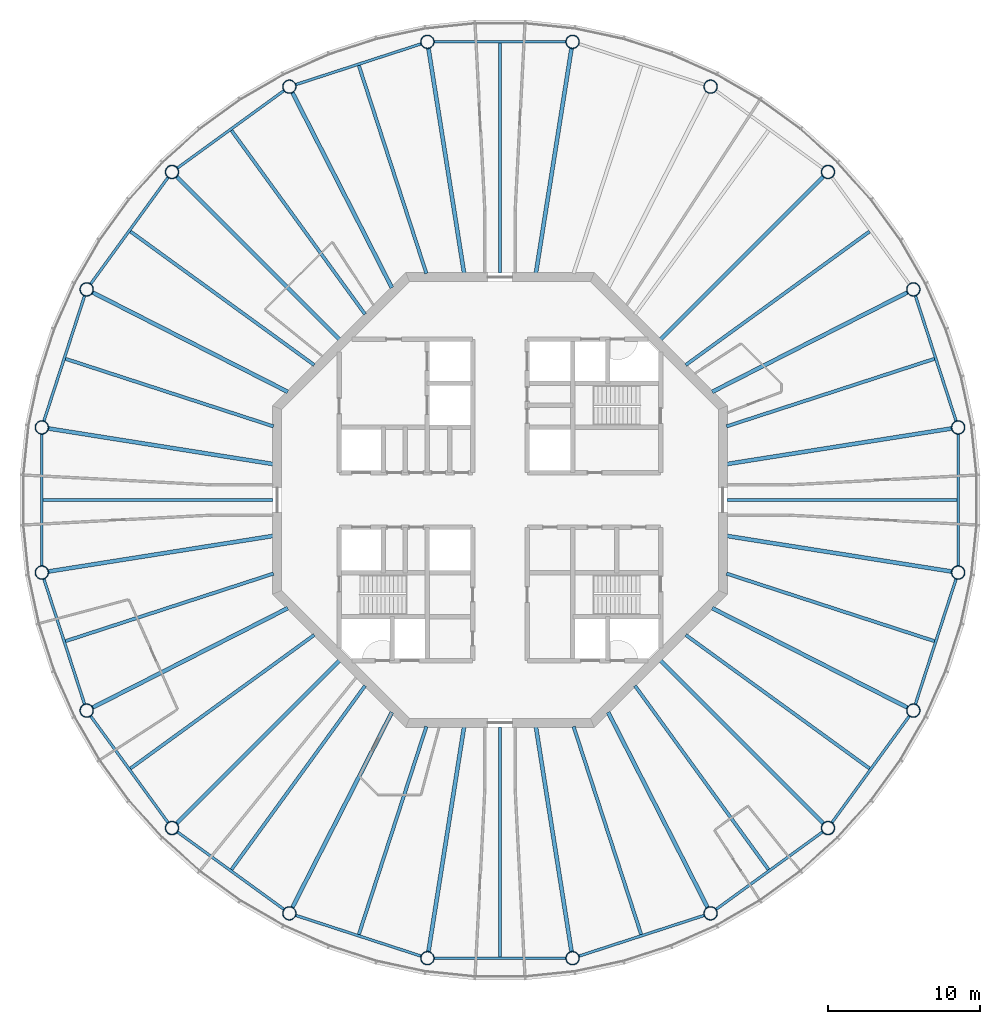
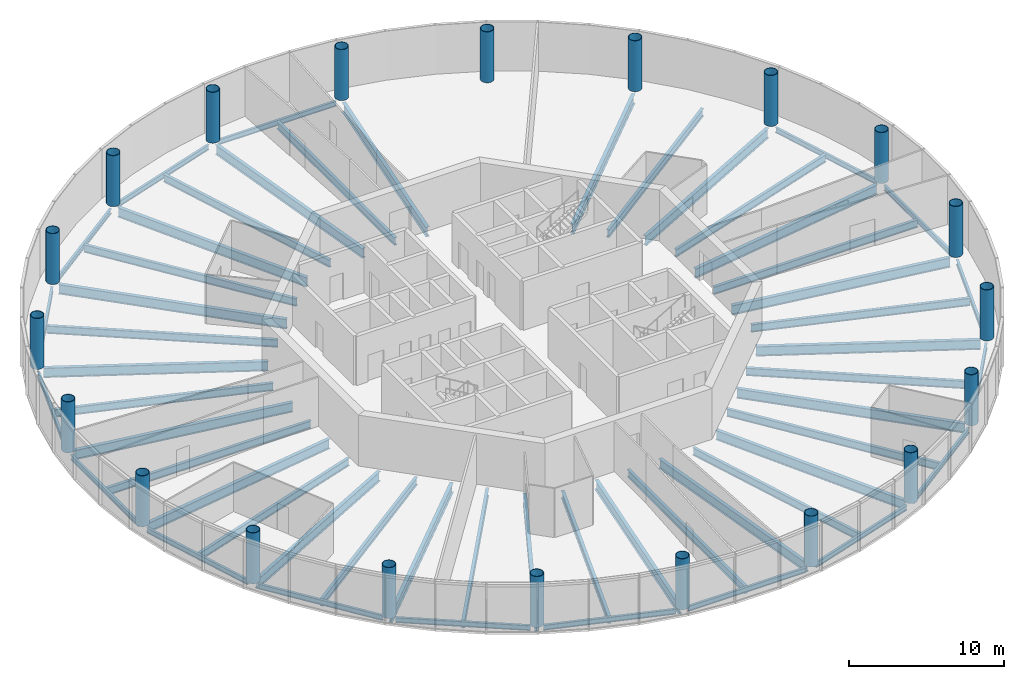
# One storey, part 1 of 13: 54 beams, 20 columns.
"""IFC4 building model written with IfcOpenShell, lengths in metres."""

from ifc_helpers import new_model, si_unit, direction, frame, origin, origin_2d, place, context, subcontext, project, spatial, circle, hollow_circle, i_section, extrude, material, material_profile, profile_set, type_object, element, save


model = new_model("IFC4")

# Units and contexts
model_context = context("Model", 3, precision=1e-05, world=origin(), true_north=direction((0.0, 1.0)))
body_context = subcontext(model_context, "Body", "Model", "MODEL_VIEW")
ifc_project = project(units=[si_unit("LENGTHUNIT", "METRE"), si_unit("AREAUNIT", "SQUARE_METRE"), si_unit("VOLUMEUNIT", "CUBIC_METRE"), si_unit("PLANEANGLEUNIT", "RADIAN"), si_unit("MASSUNIT", "GRAM", prefix="KILO")], contexts=[model_context])

# Site, building, storey
site_placement = place(None, origin())
site = spatial("IfcSite", under=ifc_project, at=site_placement, CompositionType="ELEMENT")
building_placement = place(site_placement, origin())
building = spatial("IfcBuilding", under=site, at=building_placement, Name="Entoto Ring Tower", CompositionType="ELEMENT")
storey_placement = place(building_placement, frame((0.0, 0.0, 380.0)))
storey = spatial("IfcBuildingStorey", under=building, at=storey_placement, Name="L88", CompositionType="ELEMENT", Elevation=380.0)

# Columns
ifc_material_1 = material(Name="Steel S355", Category="steel")
ifc_material_profile_1 = material_profile(ifc_material_1, hollow_circle(Radius=0.449951171875, WallThickness=0.0400390625, at=origin_2d()), Name="CHS 900 x 40")
ifc_material_2 = material(Name="Concrete C60/75", Category="concrete")
ifc_material_profile_2 = material_profile(ifc_material_2, circle(Radius=0.409912109375, at=origin_2d()), Name="Concrete C60/75 infill")
ifc_profile_set_1 = profile_set([ifc_material_profile_1, ifc_material_profile_2], Name="Steel S355")
column_type = type_object("IfcColumnType", Name="Ring column 900 x 40 concrete-filled tube", PredefinedType="COLUMN", material=ifc_profile_set_1)
for number, where, z_axis, x_axis, name in (
    (1, (120.22314453125, 84.786865234375, 0.0), (0.0, 0.0, 1.0), (1.0, 0.0, 0.0), "RC6 R01"),
    (2, (117.264892578125, 93.89208984375, 0.0), (0.0, 0.0, 1.0), (1.0, 0.0, 0.0), "RC6 R02"),
    (3, (111.637451171875, 101.637451171875, 0.0), (0.0, 0.0, 1.0), (1.0, 0.0, 0.0), "RC6 R03"),
    (4, (103.89208984375, 107.264892578125, 0.0), (0.0, 0.0, 1.0), (1.0, 0.0, 0.0), "RC6 R04"),
    (5, (94.786865234375, 110.22314453125, 0.0), (0.0, 0.0, 1.0), (1.0, 0.0, 0.0), "RC6 R05"),
    (6, (85.213134765625, 110.22314453125, 0.0), (0.0, 0.0, 1.0), (1.0, 0.0, 0.0), "RC6 R06"),
    (7, (76.10791015625, 107.264892578125, 0.0), (0.0, 0.0, 1.0), (1.0, 0.0, 0.0), "RC6 R07"),
    (8, (68.362548828125, 101.637451171875, 0.0), (0.0, 0.0, 1.0), (1.0, 0.0, 0.0), "RC6 R08"),
    (9, (62.735107421875, 93.89208984375, 0.0), (0.0, 0.0, 1.0), (1.0, 0.0, 0.0), "RC6 R09"),
    (10, (59.77685546875, 84.786865234375, 0.0), (0.0, 0.0, 1.0), (1.0, 0.0, 0.0), "RC6 R10"),
    (11, (59.77685546875, 75.213134765625, 0.0), (0.0, 0.0, 1.0), (1.0, 0.0, 0.0), "RC6 R11"),
    (12, (62.735107421875, 66.10791015625, 0.0), (0.0, 0.0, 1.0), (1.0, 0.0, 0.0), "RC6 R12"),
    (13, (68.362548828125, 58.362548828125, 0.0), (0.0, 0.0, 1.0), (1.0, 0.0, 0.0), "RC6 R13"),
    (14, (76.10791015625, 52.735107421875, 0.0), (0.0, 0.0, 1.0), (1.0, 0.0, 0.0), "RC6 R14"),
    (15, (85.213134765625, 49.77685546875, 0.0), (0.0, 0.0, 1.0), (1.0, 0.0, 0.0), "RC6 R15"),
    (16, (94.786865234375, 49.77685546875, 0.0), (0.0, 0.0, 1.0), (1.0, 0.0, 0.0), "RC6 R16"),
    (17, (103.89208984375, 52.735107421875, 0.0), (0.0, 0.0, 1.0), (1.0, 0.0, 0.0), "RC6 R17"),
    (18, (111.637451171875, 58.362548828125, 0.0), (0.0, 0.0, 1.0), (1.0, 0.0, 0.0), "RC6 R18"),
    (19, (117.264892578125, 66.10791015625, 0.0), (0.0, 0.0, 1.0), (1.0, 0.0, 0.0), "RC6 R19"),
    (20, (120.22314453125, 75.213134765625, 0.0), (0.0, 0.0, 1.0), (1.0, 0.0, 0.0), "RC6 R20"),
):
    element("IfcColumn", number, at=place(storey_placement, frame(where, z_axis=z_axis, x_axis=x_axis)), inside=storey, type_object=column_type, Name=name, PredefinedType="COLUMN", context=body_context, shape_type="SweptSolid", body=[
        extrude(hollow_circle(Radius=0.449951171875, WallThickness=0.0400390625, at=origin_2d()), origin(), (0.0, 0.0, 1.0), 4.0),
    ])

# Beams
ifc_material_3 = material(Name="Steel S355", Category="steel")
ifc_material_profile_3 = material_profile(ifc_material_3, i_section(OverallWidth=0.179931640625, OverallDepth=0.39990234375, WebThickness=0.008544921875, FlangeThickness=0.013427734375, FilletRadius=0.02099609375, at=origin_2d()), Name="IPE 400")
ifc_profile_set_2 = profile_set([ifc_material_profile_3], Name="Steel S355")
beam_type_1 = type_object("IfcBeamType", Name="Edge beam IPE 400", PredefinedType="SPANDREL", material=ifc_profile_set_2)
beam_1_placement = place(storey_placement, frame((120.09326171875, 85.187255859375, -0.35009765625), z_axis=(-0.309030438368, 0.951052147972, 0.0), x_axis=(-0.951052147972, -0.309030438368, 0.0)))
element("IfcBeam", 21, at=beam_1_placement, inside=storey, type_object=beam_type_1, Name="Edge beam L88 01", PredefinedType="SPANDREL", context=body_context, shape_type="SweptSolid", body=[
    extrude(i_section(OverallWidth=0.179931640625, OverallDepth=0.39990234375, WebThickness=0.008544921875, FlangeThickness=0.013427734375, FilletRadius=0.02099609375, at=origin_2d()), origin(), (0.0, 0.0, 1.0), 8.732177734375),
])
beam_2_placement = place(storey_placement, frame((94.365966796875, 110.22314453125, -0.35009765625), z_axis=(-1.0, 0.0, 0.0), x_axis=(0.0, -1.0, 0.0)))
element("IfcBeam", 22, at=beam_2_placement, inside=storey, type_object=beam_type_1, Name="Edge beam L88 05", PredefinedType="SPANDREL", context=body_context, shape_type="SweptSolid", body=[
    extrude(i_section(OverallWidth=0.179931640625, OverallDepth=0.39990234375, WebThickness=0.008544921875, FlangeThickness=0.013427734375, FilletRadius=0.02099609375, at=origin_2d()), origin(), (0.0, 0.0, 1.0), 8.73193359375),
])
beam_3_placement = place(storey_placement, frame((84.812744140625, 110.09326171875, -0.35009765625), z_axis=(-0.951052147972, -0.309030438368, 0.0), x_axis=(0.309030438368, -0.951052147972, 0.0)))
element("IfcBeam", 23, at=beam_3_placement, inside=storey, type_object=beam_type_1, Name="Edge beam L88 06", PredefinedType="SPANDREL", context=body_context, shape_type="SweptSolid", body=[
    extrude(i_section(OverallWidth=0.179931640625, OverallDepth=0.39990234375, WebThickness=0.008544921875, FlangeThickness=0.013427734375, FilletRadius=0.02099609375, at=origin_2d()), origin(), (0.0, 0.0, 1.0), 8.732177734375),
])
for number, where, z_axis, x_axis, name in (
    (24, (75.767333984375, 107.017333984375, -0.35009765625), (-0.80901045354, -0.587794254874, 0.0), (0.587794254874, -0.80901045354, 0.0), "Edge beam L88 07"),
    (25, (68.115234375, 101.296875, -0.35009765625), (-0.587794254874, -0.80901045354, 0.0), (0.80901045354, -0.587794254874, 0.0), "Edge beam L88 08"),
):
    element("IfcBeam", number, at=place(storey_placement, frame(where, z_axis=z_axis, x_axis=x_axis)), inside=storey, type_object=beam_type_1, Name=name, PredefinedType="SPANDREL", context=body_context, shape_type="SweptSolid", body=[
        extrude(i_section(OverallWidth=0.179931640625, OverallDepth=0.39990234375, WebThickness=0.008544921875, FlangeThickness=0.013427734375, FilletRadius=0.02099609375, at=origin_2d()), origin(), (0.0, 0.0, 1.0), 8.73193359375),
    ])
beam_4_placement = place(storey_placement, frame((62.605224609375, 93.491943359375, -0.35009765625), z_axis=(-0.309030438368, -0.951052147972, 0.0), x_axis=(0.951052147972, -0.309030438368, 0.0)))
element("IfcBeam", 26, at=beam_4_placement, inside=storey, type_object=beam_type_1, Name="Edge beam L88 09", PredefinedType="SPANDREL", context=body_context, shape_type="SweptSolid", body=[
    extrude(i_section(OverallWidth=0.179931640625, OverallDepth=0.39990234375, WebThickness=0.008544921875, FlangeThickness=0.013427734375, FilletRadius=0.02099609375, at=origin_2d()), origin(), (0.0, 0.0, 1.0), 8.732177734375),
])
beam_5_placement = place(storey_placement, frame((59.77685546875, 84.365966796875, -0.35009765625), z_axis=(0.0, -1.0, 0.0), x_axis=(1.0, 0.0, 0.0)))
element("IfcBeam", 27, at=beam_5_placement, inside=storey, type_object=beam_type_1, Name="Edge beam L88 10", PredefinedType="SPANDREL", context=body_context, shape_type="SweptSolid", body=[
    extrude(i_section(OverallWidth=0.179931640625, OverallDepth=0.39990234375, WebThickness=0.008544921875, FlangeThickness=0.013427734375, FilletRadius=0.02099609375, at=origin_2d()), origin(), (0.0, 0.0, 1.0), 8.73193359375),
])
beam_6_placement = place(storey_placement, frame((59.90673828125, 74.812744140625, -0.35009765625), z_axis=(0.309030438368, -0.951052147972, 0.0), x_axis=(0.951052147972, 0.309030438368, 0.0)))
element("IfcBeam", 28, at=beam_6_placement, inside=storey, type_object=beam_type_1, Name="Edge beam L88 11", PredefinedType="SPANDREL", context=body_context, shape_type="SweptSolid", body=[
    extrude(i_section(OverallWidth=0.179931640625, OverallDepth=0.39990234375, WebThickness=0.008544921875, FlangeThickness=0.013427734375, FilletRadius=0.02099609375, at=origin_2d()), origin(), (0.0, 0.0, 1.0), 8.732177734375),
])
for number, where, z_axis, x_axis, name in (
    (29, (62.982666015625, 65.767333984375, -0.35009765625), (0.587794254874, -0.80901045354, 0.0), (0.80901045354, 0.587794254874, 0.0), "Edge beam L88 12"),
    (30, (68.703125, 58.115234375, -0.35009765625), (0.80901045354, -0.587794254874, 0.0), (0.587794254874, 0.80901045354, 0.0), "Edge beam L88 13"),
):
    element("IfcBeam", number, at=place(storey_placement, frame(where, z_axis=z_axis, x_axis=x_axis)), inside=storey, type_object=beam_type_1, Name=name, PredefinedType="SPANDREL", context=body_context, shape_type="SweptSolid", body=[
        extrude(i_section(OverallWidth=0.179931640625, OverallDepth=0.39990234375, WebThickness=0.008544921875, FlangeThickness=0.013427734375, FilletRadius=0.02099609375, at=origin_2d()), origin(), (0.0, 0.0, 1.0), 8.73193359375),
    ])
beam_7_placement = place(storey_placement, frame((76.508056640625, 52.605224609375, -0.35009765625), z_axis=(0.951052147972, -0.309030438368, 0.0), x_axis=(0.309030438368, 0.951052147972, 0.0)))
element("IfcBeam", 31, at=beam_7_placement, inside=storey, type_object=beam_type_1, Name="Edge beam L88 14", PredefinedType="SPANDREL", context=body_context, shape_type="SweptSolid", body=[
    extrude(i_section(OverallWidth=0.179931640625, OverallDepth=0.39990234375, WebThickness=0.008544921875, FlangeThickness=0.013427734375, FilletRadius=0.02099609375, at=origin_2d()), origin(), (0.0, 0.0, 1.0), 8.732177734375),
])
beam_8_placement = place(storey_placement, frame((85.634033203125, 49.77685546875, -0.35009765625), z_axis=(1.0, 0.0, 0.0), x_axis=(0.0, 1.0, 0.0)))
element("IfcBeam", 32, at=beam_8_placement, inside=storey, type_object=beam_type_1, Name="Edge beam L88 15", PredefinedType="SPANDREL", context=body_context, shape_type="SweptSolid", body=[
    extrude(i_section(OverallWidth=0.179931640625, OverallDepth=0.39990234375, WebThickness=0.008544921875, FlangeThickness=0.013427734375, FilletRadius=0.02099609375, at=origin_2d()), origin(), (0.0, 0.0, 1.0), 8.73193359375),
])
beam_9_placement = place(storey_placement, frame((95.187255859375, 49.90673828125, -0.35009765625), z_axis=(0.951052147972, 0.309030438368, 0.0), x_axis=(-0.309030438368, 0.951052147972, 0.0)))
element("IfcBeam", 33, at=beam_9_placement, inside=storey, type_object=beam_type_1, Name="Edge beam L88 16", PredefinedType="SPANDREL", context=body_context, shape_type="SweptSolid", body=[
    extrude(i_section(OverallWidth=0.179931640625, OverallDepth=0.39990234375, WebThickness=0.008544921875, FlangeThickness=0.013427734375, FilletRadius=0.02099609375, at=origin_2d()), origin(), (0.0, 0.0, 1.0), 8.732177734375),
])
for number, where, z_axis, x_axis, name in (
    (34, (104.232666015625, 52.982666015625, -0.35009765625), (0.80901045354, 0.587794254874, 0.0), (-0.587794254874, 0.80901045354, 0.0), "Edge beam L88 17"),
    (35, (111.884765625, 58.703125, -0.35009765625), (0.587794254874, 0.80901045354, 0.0), (-0.80901045354, 0.587794254874, 0.0), "Edge beam L88 18"),
):
    element("IfcBeam", number, at=place(storey_placement, frame(where, z_axis=z_axis, x_axis=x_axis)), inside=storey, type_object=beam_type_1, Name=name, PredefinedType="SPANDREL", context=body_context, shape_type="SweptSolid", body=[
        extrude(i_section(OverallWidth=0.179931640625, OverallDepth=0.39990234375, WebThickness=0.008544921875, FlangeThickness=0.013427734375, FilletRadius=0.02099609375, at=origin_2d()), origin(), (0.0, 0.0, 1.0), 8.73193359375),
    ])
beam_10_placement = place(storey_placement, frame((117.394775390625, 66.508056640625, -0.35009765625), z_axis=(0.309030438368, 0.951052147972, 0.0), x_axis=(-0.951052147972, 0.309030438368, 0.0)))
element("IfcBeam", 36, at=beam_10_placement, inside=storey, type_object=beam_type_1, Name="Edge beam L88 19", PredefinedType="SPANDREL", context=body_context, shape_type="SweptSolid", body=[
    extrude(i_section(OverallWidth=0.179931640625, OverallDepth=0.39990234375, WebThickness=0.008544921875, FlangeThickness=0.013427734375, FilletRadius=0.02099609375, at=origin_2d()), origin(), (0.0, 0.0, 1.0), 8.732177734375),
])
beam_11_placement = place(storey_placement, frame((120.22314453125, 75.634033203125, -0.35009765625), z_axis=(0.0, 1.0, 0.0), x_axis=(-1.0, 0.0, 0.0)))
element("IfcBeam", 37, at=beam_11_placement, inside=storey, type_object=beam_type_1, Name="Edge beam L88 20", PredefinedType="SPANDREL", context=body_context, shape_type="SweptSolid", body=[
    extrude(i_section(OverallWidth=0.179931640625, OverallDepth=0.39990234375, WebThickness=0.008544921875, FlangeThickness=0.013427734375, FilletRadius=0.02099609375, at=origin_2d()), origin(), (0.0, 0.0, 1.0), 8.73193359375),
])
ifc_material_4 = material(Name="Steel S355", Category="steel")
ifc_material_profile_4 = material_profile(ifc_material_4, i_section(OverallWidth=0.262939453125, OverallDepth=0.7529296875, WebThickness=0.011474609375, FlangeThickness=0.01708984375, FilletRadius=0.01708984375, at=origin_2d()), Name="IPE 750 x 137")
ifc_profile_set_3 = profile_set([ifc_material_profile_4], Name="Steel S355")
beam_type_2 = type_object("IfcBeamType", Name="Primary floor beam IPE 750 x 137", PredefinedType="BEAM", material=ifc_profile_set_3)
beam_12_placement = place(storey_placement, frame((104.959716796875, 82.369384765625, -0.526611328125), z_axis=(0.987688638122, 0.156432586517, 0.0), x_axis=(-0.156432586517, 0.987688638122, 0.0)))
element("IfcBeam", 38, at=beam_12_placement, inside=storey, type_object=beam_type_2, Name="Primary L88 R01", PredefinedType="BEAM", context=body_context, shape_type="SweptSolid", body=[
    extrude(i_section(OverallWidth=0.262939453125, OverallDepth=0.7529296875, WebThickness=0.011474609375, FlangeThickness=0.01708984375, FilletRadius=0.01708984375, at=origin_2d()), origin(), (0.0, 0.0, 1.0), 15.04345703125),
])
beam_13_placement = place(storey_placement, frame((103.9970703125, 87.1318359375, -0.526611328125), z_axis=(0.89100578373, 0.453991952968, 0.0), x_axis=(-0.453991952968, 0.89100578373, 0.0)))
element("IfcBeam", 39, at=beam_13_placement, inside=storey, type_object=beam_type_2, Name="Primary L88 R02", PredefinedType="BEAM", context=body_context, shape_type="SweptSolid", body=[
    extrude(i_section(OverallWidth=0.262939453125, OverallDepth=0.7529296875, WebThickness=0.011474609375, FlangeThickness=0.01708984375, FilletRadius=0.01708984375, at=origin_2d()), origin(), (0.0, 0.0, 1.0), 14.48046875),
])
beam_14_placement = place(storey_placement, frame((100.592529296875, 90.592529296875, -0.526611328125), z_axis=(0.707106781187, 0.707106781187, 0.0), x_axis=(-0.707106781187, 0.707106781187, 0.0)))
element("IfcBeam", 40, at=beam_14_placement, inside=storey, type_object=beam_type_2, Name="Primary L88 R03", PredefinedType="BEAM", context=body_context, shape_type="SweptSolid", body=[
    extrude(i_section(OverallWidth=0.262939453125, OverallDepth=0.7529296875, WebThickness=0.011474609375, FlangeThickness=0.01708984375, FilletRadius=0.01708984375, at=origin_2d()), origin(), (0.0, 0.0, 1.0), 15.209716796875),
])
for number, where, z_axis, x_axis, name in (
    (41, (92.369384765625, 94.959716796875, -0.526611328125), (0.156432586517, 0.987688638122, 0.0), (-0.987688638122, 0.156432586517, 0.0), "Primary L88 R05"),
    (42, (87.630615234375, 94.959716796875, -0.526611328125), (-0.156432586517, 0.987688638122, 0.0), (-0.987688638122, -0.156432586517, 0.0), "Primary L88 R06"),
):
    element("IfcBeam", number, at=place(storey_placement, frame(where, z_axis=z_axis, x_axis=x_axis)), inside=storey, type_object=beam_type_2, Name=name, PredefinedType="BEAM", context=body_context, shape_type="SweptSolid", body=[
        extrude(i_section(OverallWidth=0.262939453125, OverallDepth=0.7529296875, WebThickness=0.011474609375, FlangeThickness=0.01708984375, FilletRadius=0.01708984375, at=origin_2d()), origin(), (0.0, 0.0, 1.0), 15.04345703125),
    ])
beam_15_placement = place(storey_placement, frame((82.8681640625, 93.9970703125, -0.526611328125), z_axis=(-0.453991952968, 0.89100578373, 0.0), x_axis=(-0.89100578373, -0.453991952968, 0.0)))
element("IfcBeam", 43, at=beam_15_placement, inside=storey, type_object=beam_type_2, Name="Primary L88 R07", PredefinedType="BEAM", context=body_context, shape_type="SweptSolid", body=[
    extrude(i_section(OverallWidth=0.262939453125, OverallDepth=0.7529296875, WebThickness=0.011474609375, FlangeThickness=0.01708984375, FilletRadius=0.01708984375, at=origin_2d()), origin(), (0.0, 0.0, 1.0), 14.48046875),
])
beam_16_placement = place(storey_placement, frame((79.407470703125, 90.592529296875, -0.526611328125), z_axis=(-0.707106781187, 0.707106781187, 0.0), x_axis=(-0.707106781187, -0.707106781187, 0.0)))
element("IfcBeam", 44, at=beam_16_placement, inside=storey, type_object=beam_type_2, Name="Primary L88 R08", PredefinedType="BEAM", context=body_context, shape_type="SweptSolid", body=[
    extrude(i_section(OverallWidth=0.262939453125, OverallDepth=0.7529296875, WebThickness=0.011474609375, FlangeThickness=0.01708984375, FilletRadius=0.01708984375, at=origin_2d()), origin(), (0.0, 0.0, 1.0), 15.209716796875),
])
beam_17_placement = place(storey_placement, frame((76.0029296875, 87.1318359375, -0.526611328125), z_axis=(-0.89100578373, 0.453991952968, 0.0), x_axis=(-0.453991952968, -0.89100578373, 0.0)))
element("IfcBeam", 45, at=beam_17_placement, inside=storey, type_object=beam_type_2, Name="Primary L88 R09", PredefinedType="BEAM", context=body_context, shape_type="SweptSolid", body=[
    extrude(i_section(OverallWidth=0.262939453125, OverallDepth=0.7529296875, WebThickness=0.011474609375, FlangeThickness=0.01708984375, FilletRadius=0.01708984375, at=origin_2d()), origin(), (0.0, 0.0, 1.0), 14.48046875),
])
for number, where, z_axis, x_axis, name in (
    (46, (75.040283203125, 82.369384765625, -0.526611328125), (-0.987688638122, 0.156432586517, 0.0), (-0.156432586517, -0.987688638122, 0.0), "Primary L88 R10"),
    (47, (75.040283203125, 77.630615234375, -0.526611328125), (-0.987688638122, -0.156432586517, 0.0), (0.156432586517, -0.987688638122, 0.0), "Primary L88 R11"),
):
    element("IfcBeam", number, at=place(storey_placement, frame(where, z_axis=z_axis, x_axis=x_axis)), inside=storey, type_object=beam_type_2, Name=name, PredefinedType="BEAM", context=body_context, shape_type="SweptSolid", body=[
        extrude(i_section(OverallWidth=0.262939453125, OverallDepth=0.7529296875, WebThickness=0.011474609375, FlangeThickness=0.01708984375, FilletRadius=0.01708984375, at=origin_2d()), origin(), (0.0, 0.0, 1.0), 15.04345703125),
    ])
beam_18_placement = place(storey_placement, frame((76.0029296875, 72.8681640625, -0.526611328125), z_axis=(-0.89100578373, -0.453991952968, 0.0), x_axis=(0.453991952968, -0.89100578373, 0.0)))
element("IfcBeam", 48, at=beam_18_placement, inside=storey, type_object=beam_type_2, Name="Primary L88 R12", PredefinedType="BEAM", context=body_context, shape_type="SweptSolid", body=[
    extrude(i_section(OverallWidth=0.262939453125, OverallDepth=0.7529296875, WebThickness=0.011474609375, FlangeThickness=0.01708984375, FilletRadius=0.01708984375, at=origin_2d()), origin(), (0.0, 0.0, 1.0), 14.48046875),
])
beam_19_placement = place(storey_placement, frame((79.407470703125, 69.407470703125, -0.526611328125), z_axis=(-0.707106781187, -0.707106781187, 0.0), x_axis=(0.707106781187, -0.707106781187, 0.0)))
element("IfcBeam", 49, at=beam_19_placement, inside=storey, type_object=beam_type_2, Name="Primary L88 R13", PredefinedType="BEAM", context=body_context, shape_type="SweptSolid", body=[
    extrude(i_section(OverallWidth=0.262939453125, OverallDepth=0.7529296875, WebThickness=0.011474609375, FlangeThickness=0.01708984375, FilletRadius=0.01708984375, at=origin_2d()), origin(), (0.0, 0.0, 1.0), 15.209716796875),
])
beam_20_placement = place(storey_placement, frame((82.8681640625, 66.0029296875, -0.526611328125), z_axis=(-0.453991952968, -0.89100578373, 0.0), x_axis=(0.89100578373, -0.453991952968, 0.0)))
element("IfcBeam", 50, at=beam_20_placement, inside=storey, type_object=beam_type_2, Name="Primary L88 R14", PredefinedType="BEAM", context=body_context, shape_type="SweptSolid", body=[
    extrude(i_section(OverallWidth=0.262939453125, OverallDepth=0.7529296875, WebThickness=0.011474609375, FlangeThickness=0.01708984375, FilletRadius=0.01708984375, at=origin_2d()), origin(), (0.0, 0.0, 1.0), 14.48046875),
])
for number, where, z_axis, x_axis, name in (
    (51, (87.630615234375, 65.040283203125, -0.526611328125), (-0.156432586517, -0.987688638122, 0.0), (0.987688638122, -0.156432586517, 0.0), "Primary L88 R15"),
    (52, (92.369384765625, 65.040283203125, -0.526611328125), (0.156432586517, -0.987688638122, 0.0), (0.987688638122, 0.156432586517, 0.0), "Primary L88 R16"),
):
    element("IfcBeam", number, at=place(storey_placement, frame(where, z_axis=z_axis, x_axis=x_axis)), inside=storey, type_object=beam_type_2, Name=name, PredefinedType="BEAM", context=body_context, shape_type="SweptSolid", body=[
        extrude(i_section(OverallWidth=0.262939453125, OverallDepth=0.7529296875, WebThickness=0.011474609375, FlangeThickness=0.01708984375, FilletRadius=0.01708984375, at=origin_2d()), origin(), (0.0, 0.0, 1.0), 15.04345703125),
    ])
beam_21_placement = place(storey_placement, frame((97.1318359375, 66.0029296875, -0.526611328125), z_axis=(0.453991952968, -0.89100578373, 0.0), x_axis=(0.89100578373, 0.453991952968, 0.0)))
element("IfcBeam", 53, at=beam_21_placement, inside=storey, type_object=beam_type_2, Name="Primary L88 R17", PredefinedType="BEAM", context=body_context, shape_type="SweptSolid", body=[
    extrude(i_section(OverallWidth=0.262939453125, OverallDepth=0.7529296875, WebThickness=0.011474609375, FlangeThickness=0.01708984375, FilletRadius=0.01708984375, at=origin_2d()), origin(), (0.0, 0.0, 1.0), 14.48046875),
])
beam_22_placement = place(storey_placement, frame((100.592529296875, 69.407470703125, -0.526611328125), z_axis=(0.707106781187, -0.707106781187, 0.0), x_axis=(0.707106781187, 0.707106781187, 0.0)))
element("IfcBeam", 54, at=beam_22_placement, inside=storey, type_object=beam_type_2, Name="Primary L88 R18", PredefinedType="BEAM", context=body_context, shape_type="SweptSolid", body=[
    extrude(i_section(OverallWidth=0.262939453125, OverallDepth=0.7529296875, WebThickness=0.011474609375, FlangeThickness=0.01708984375, FilletRadius=0.01708984375, at=origin_2d()), origin(), (0.0, 0.0, 1.0), 15.209716796875),
])
beam_23_placement = place(storey_placement, frame((103.9970703125, 72.8681640625, -0.526611328125), z_axis=(0.89100578373, -0.453991952968, 0.0), x_axis=(0.453991952968, 0.89100578373, 0.0)))
element("IfcBeam", 55, at=beam_23_placement, inside=storey, type_object=beam_type_2, Name="Primary L88 R19", PredefinedType="BEAM", context=body_context, shape_type="SweptSolid", body=[
    extrude(i_section(OverallWidth=0.262939453125, OverallDepth=0.7529296875, WebThickness=0.011474609375, FlangeThickness=0.01708984375, FilletRadius=0.01708984375, at=origin_2d()), origin(), (0.0, 0.0, 1.0), 14.48046875),
])
beam_24_placement = place(storey_placement, frame((104.959716796875, 77.630615234375, -0.526611328125), z_axis=(0.987688638122, -0.156432586517, 0.0), x_axis=(0.156432586517, 0.987688638122, 0.0)))
element("IfcBeam", 56, at=beam_24_placement, inside=storey, type_object=beam_type_2, Name="Primary L88 R20", PredefinedType="BEAM", context=body_context, shape_type="SweptSolid", body=[
    extrude(i_section(OverallWidth=0.262939453125, OverallDepth=0.7529296875, WebThickness=0.011474609375, FlangeThickness=0.01708984375, FilletRadius=0.01708984375, at=origin_2d()), origin(), (0.0, 0.0, 1.0), 15.04345703125),
])
ifc_material_5 = material(Name="Steel S355", Category="steel")
ifc_material_profile_5 = material_profile(ifc_material_5, i_section(OverallWidth=0.219970703125, OverallDepth=0.60009765625, WebThickness=0.011962890625, FlangeThickness=0.01904296875, FilletRadius=0.02392578125, at=origin_2d()), Name="IPE 600")
ifc_profile_set_4 = profile_set([ifc_material_profile_5], Name="Steel S355")
beam_type_3 = type_object("IfcBeamType", Name="Secondary floor beam IPE 600", PredefinedType="JOIST", material=ifc_profile_set_4)
beam_25_placement = place(storey_placement, frame((104.947021484375, 84.856689453125, -0.449951171875), z_axis=(0.951057212949, 0.309014850288, 0.0), x_axis=(-0.309014850288, 0.951057212949, 0.0)))
element("IfcBeam", 57, at=beam_25_placement, inside=storey, type_object=beam_type_3, Name="Secondary beam L88 01", PredefinedType="JOIST", context=body_context, shape_type="SweptSolid", body=[
    extrude(i_section(OverallWidth=0.219970703125, OverallDepth=0.60009765625, WebThickness=0.011962890625, FlangeThickness=0.01904296875, FilletRadius=0.02392578125, at=origin_2d()), origin(), (0.0, 0.0, 1.0), 14.4169921875),
])
beam_26_placement = place(storey_placement, frame((102.25634765625, 88.90478515625, -0.449951171875), z_axis=(0.809019238239, 0.587782163866, 0.0), x_axis=(-0.587782163866, 0.809019238239, 0.0)))
element("IfcBeam", 58, at=beam_26_placement, inside=storey, type_object=beam_type_3, Name="Secondary beam L88 02", PredefinedType="JOIST", context=body_context, shape_type="SweptSolid", body=[
    extrude(i_section(OverallWidth=0.219970703125, OverallDepth=0.60009765625, WebThickness=0.011962890625, FlangeThickness=0.01904296875, FilletRadius=0.02392578125, at=origin_2d()), origin(), (0.0, 0.0, 1.0), 14.983642578125),
])
beam_27_placement = place(storey_placement, frame((90.0, 94.97998046875, -0.449951171875), z_axis=(0.0, 1.0, 0.0), x_axis=(-1.0, 0.0, 0.0)))
element("IfcBeam", 59, at=beam_27_placement, inside=storey, type_object=beam_type_3, Name="Secondary beam L88 05", PredefinedType="JOIST", context=body_context, shape_type="SweptSolid", body=[
    extrude(i_section(OverallWidth=0.219970703125, OverallDepth=0.60009765625, WebThickness=0.011962890625, FlangeThickness=0.01904296875, FilletRadius=0.02392578125, at=origin_2d()), origin(), (0.0, 0.0, 1.0), 15.1533203125),
])
beam_28_placement = place(storey_placement, frame((85.143310546875, 94.947021484375, -0.449951171875), z_axis=(-0.309014850288, 0.951057212949, 0.0), x_axis=(-0.951057212949, -0.309014850288, 0.0)))
element("IfcBeam", 60, at=beam_28_placement, inside=storey, type_object=beam_type_3, Name="Secondary beam L88 06", PredefinedType="JOIST", context=body_context, shape_type="SweptSolid", body=[
    extrude(i_section(OverallWidth=0.219970703125, OverallDepth=0.60009765625, WebThickness=0.011962890625, FlangeThickness=0.01904296875, FilletRadius=0.02392578125, at=origin_2d()), origin(), (0.0, 0.0, 1.0), 14.4169921875),
])
for number, where, z_axis, x_axis, name in (
    (61, (81.09521484375, 92.25634765625, -0.449951171875), (-0.587782163866, 0.809019238239, 0.0), (-0.809019238239, -0.587782163866, 0.0), "Secondary beam L88 07"),
    (62, (77.74365234375, 88.90478515625, -0.449951171875), (-0.809019238239, 0.587782163866, 0.0), (-0.587782163866, -0.809019238239, 0.0), "Secondary beam L88 08"),
):
    element("IfcBeam", number, at=place(storey_placement, frame(where, z_axis=z_axis, x_axis=x_axis)), inside=storey, type_object=beam_type_3, Name=name, PredefinedType="JOIST", context=body_context, shape_type="SweptSolid", body=[
        extrude(i_section(OverallWidth=0.219970703125, OverallDepth=0.60009765625, WebThickness=0.011962890625, FlangeThickness=0.01904296875, FilletRadius=0.02392578125, at=origin_2d()), origin(), (0.0, 0.0, 1.0), 14.983642578125),
    ])
beam_29_placement = place(storey_placement, frame((75.052978515625, 84.856689453125, -0.449951171875), z_axis=(-0.951057212949, 0.309014850288, 0.0), x_axis=(-0.309014850288, -0.951057212949, 0.0)))
element("IfcBeam", 63, at=beam_29_placement, inside=storey, type_object=beam_type_3, Name="Secondary beam L88 09", PredefinedType="JOIST", context=body_context, shape_type="SweptSolid", body=[
    extrude(i_section(OverallWidth=0.219970703125, OverallDepth=0.60009765625, WebThickness=0.011962890625, FlangeThickness=0.01904296875, FilletRadius=0.02392578125, at=origin_2d()), origin(), (0.0, 0.0, 1.0), 14.4169921875),
])
beam_30_placement = place(storey_placement, frame((75.02001953125, 80.0, -0.449951171875), z_axis=(-1.0, 0.0, 0.0), x_axis=(0.0, -1.0, 0.0)))
element("IfcBeam", 64, at=beam_30_placement, inside=storey, type_object=beam_type_3, Name="Secondary beam L88 10", PredefinedType="JOIST", context=body_context, shape_type="SweptSolid", body=[
    extrude(i_section(OverallWidth=0.219970703125, OverallDepth=0.60009765625, WebThickness=0.011962890625, FlangeThickness=0.01904296875, FilletRadius=0.02392578125, at=origin_2d()), origin(), (0.0, 0.0, 1.0), 15.1533203125),
])
beam_31_placement = place(storey_placement, frame((75.052978515625, 75.143310546875, -0.449951171875), z_axis=(-0.951057212949, -0.309014850288, 0.0), x_axis=(0.309014850288, -0.951057212949, 0.0)))
element("IfcBeam", 65, at=beam_31_placement, inside=storey, type_object=beam_type_3, Name="Secondary beam L88 11", PredefinedType="JOIST", context=body_context, shape_type="SweptSolid", body=[
    extrude(i_section(OverallWidth=0.219970703125, OverallDepth=0.60009765625, WebThickness=0.011962890625, FlangeThickness=0.01904296875, FilletRadius=0.02392578125, at=origin_2d()), origin(), (0.0, 0.0, 1.0), 14.4169921875),
])
for number, where, z_axis, x_axis, name in (
    (66, (77.74365234375, 71.09521484375, -0.449951171875), (-0.809019238239, -0.587782163866, 0.0), (0.587782163866, -0.809019238239, 0.0), "Secondary beam L88 12"),
    (67, (81.09521484375, 67.74365234375, -0.449951171875), (-0.587782163866, -0.809019238239, 0.0), (0.809019238239, -0.587782163866, 0.0), "Secondary beam L88 13"),
):
    element("IfcBeam", number, at=place(storey_placement, frame(where, z_axis=z_axis, x_axis=x_axis)), inside=storey, type_object=beam_type_3, Name=name, PredefinedType="JOIST", context=body_context, shape_type="SweptSolid", body=[
        extrude(i_section(OverallWidth=0.219970703125, OverallDepth=0.60009765625, WebThickness=0.011962890625, FlangeThickness=0.01904296875, FilletRadius=0.02392578125, at=origin_2d()), origin(), (0.0, 0.0, 1.0), 14.983642578125),
    ])
beam_32_placement = place(storey_placement, frame((85.143310546875, 65.052978515625, -0.449951171875), z_axis=(-0.309014850288, -0.951057212949, 0.0), x_axis=(0.951057212949, -0.309014850288, 0.0)))
element("IfcBeam", 68, at=beam_32_placement, inside=storey, type_object=beam_type_3, Name="Secondary beam L88 14", PredefinedType="JOIST", context=body_context, shape_type="SweptSolid", body=[
    extrude(i_section(OverallWidth=0.219970703125, OverallDepth=0.60009765625, WebThickness=0.011962890625, FlangeThickness=0.01904296875, FilletRadius=0.02392578125, at=origin_2d()), origin(), (0.0, 0.0, 1.0), 14.4169921875),
])
beam_33_placement = place(storey_placement, frame((90.0, 65.02001953125, -0.449951171875), z_axis=(0.0, -1.0, 0.0), x_axis=(1.0, 0.0, 0.0)))
element("IfcBeam", 69, at=beam_33_placement, inside=storey, type_object=beam_type_3, Name="Secondary beam L88 15", PredefinedType="JOIST", context=body_context, shape_type="SweptSolid", body=[
    extrude(i_section(OverallWidth=0.219970703125, OverallDepth=0.60009765625, WebThickness=0.011962890625, FlangeThickness=0.01904296875, FilletRadius=0.02392578125, at=origin_2d()), origin(), (0.0, 0.0, 1.0), 15.1533203125),
])
beam_34_placement = place(storey_placement, frame((94.856689453125, 65.052978515625, -0.449951171875), z_axis=(0.309014850288, -0.951057212949, 0.0), x_axis=(0.951057212949, 0.309014850288, 0.0)))
element("IfcBeam", 70, at=beam_34_placement, inside=storey, type_object=beam_type_3, Name="Secondary beam L88 16", PredefinedType="JOIST", context=body_context, shape_type="SweptSolid", body=[
    extrude(i_section(OverallWidth=0.219970703125, OverallDepth=0.60009765625, WebThickness=0.011962890625, FlangeThickness=0.01904296875, FilletRadius=0.02392578125, at=origin_2d()), origin(), (0.0, 0.0, 1.0), 14.4169921875),
])
for number, where, z_axis, x_axis, name in (
    (71, (98.90478515625, 67.74365234375, -0.449951171875), (0.587782163866, -0.809019238239, 0.0), (0.809019238239, 0.587782163866, 0.0), "Secondary beam L88 17"),
    (72, (102.25634765625, 71.09521484375, -0.449951171875), (0.809019238239, -0.587782163866, 0.0), (0.587782163866, 0.809019238239, 0.0), "Secondary beam L88 18"),
):
    element("IfcBeam", number, at=place(storey_placement, frame(where, z_axis=z_axis, x_axis=x_axis)), inside=storey, type_object=beam_type_3, Name=name, PredefinedType="JOIST", context=body_context, shape_type="SweptSolid", body=[
        extrude(i_section(OverallWidth=0.219970703125, OverallDepth=0.60009765625, WebThickness=0.011962890625, FlangeThickness=0.01904296875, FilletRadius=0.02392578125, at=origin_2d()), origin(), (0.0, 0.0, 1.0), 14.983642578125),
    ])
beam_35_placement = place(storey_placement, frame((104.947021484375, 75.143310546875, -0.449951171875), z_axis=(0.951057212949, -0.309014850288, 0.0), x_axis=(0.309014850288, 0.951057212949, 0.0)))
element("IfcBeam", 73, at=beam_35_placement, inside=storey, type_object=beam_type_3, Name="Secondary beam L88 19", PredefinedType="JOIST", context=body_context, shape_type="SweptSolid", body=[
    extrude(i_section(OverallWidth=0.219970703125, OverallDepth=0.60009765625, WebThickness=0.011962890625, FlangeThickness=0.01904296875, FilletRadius=0.02392578125, at=origin_2d()), origin(), (0.0, 0.0, 1.0), 14.4169921875),
])
beam_36_placement = place(storey_placement, frame((104.97998046875, 80.0, -0.449951171875), z_axis=(1.0, 0.0, 0.0), x_axis=(0.0, 1.0, 0.0)))
element("IfcBeam", 74, at=beam_36_placement, inside=storey, type_object=beam_type_3, Name="Secondary beam L88 20", PredefinedType="JOIST", context=body_context, shape_type="SweptSolid", body=[
    extrude(i_section(OverallWidth=0.219970703125, OverallDepth=0.60009765625, WebThickness=0.011962890625, FlangeThickness=0.01904296875, FilletRadius=0.02392578125, at=origin_2d()), origin(), (0.0, 0.0, 1.0), 15.1533203125),
])

save(model, "model.ifc")
